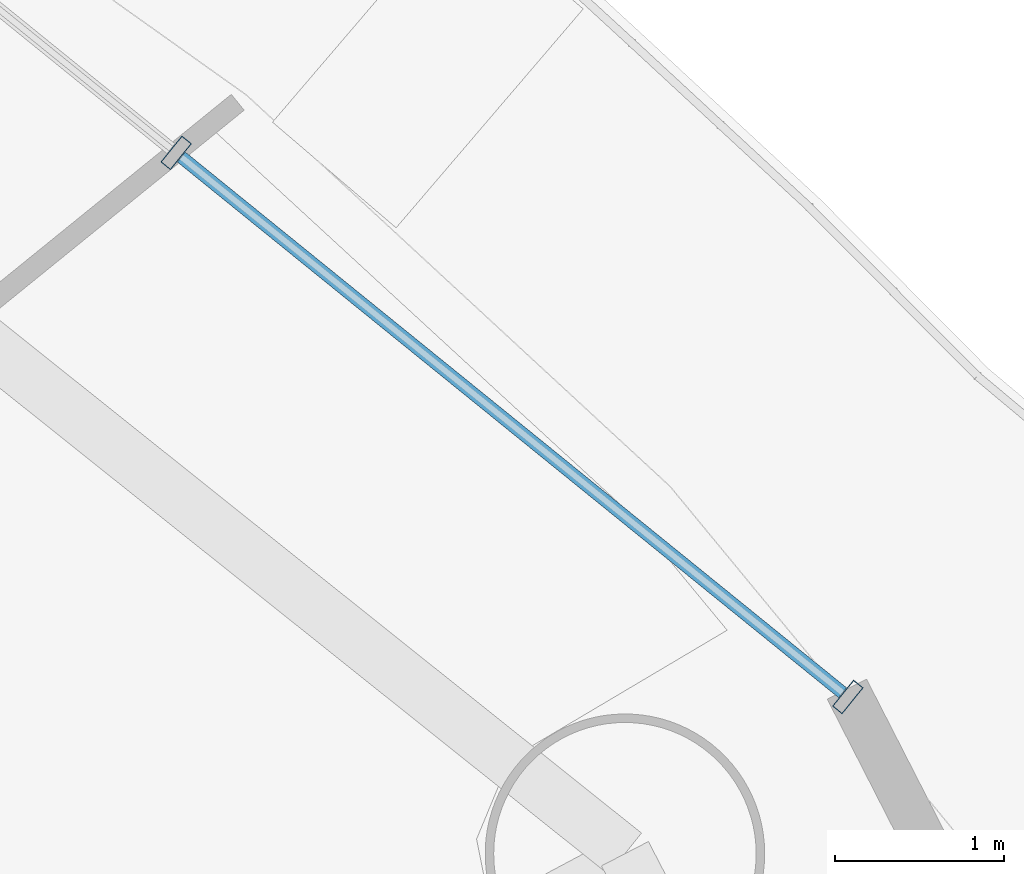
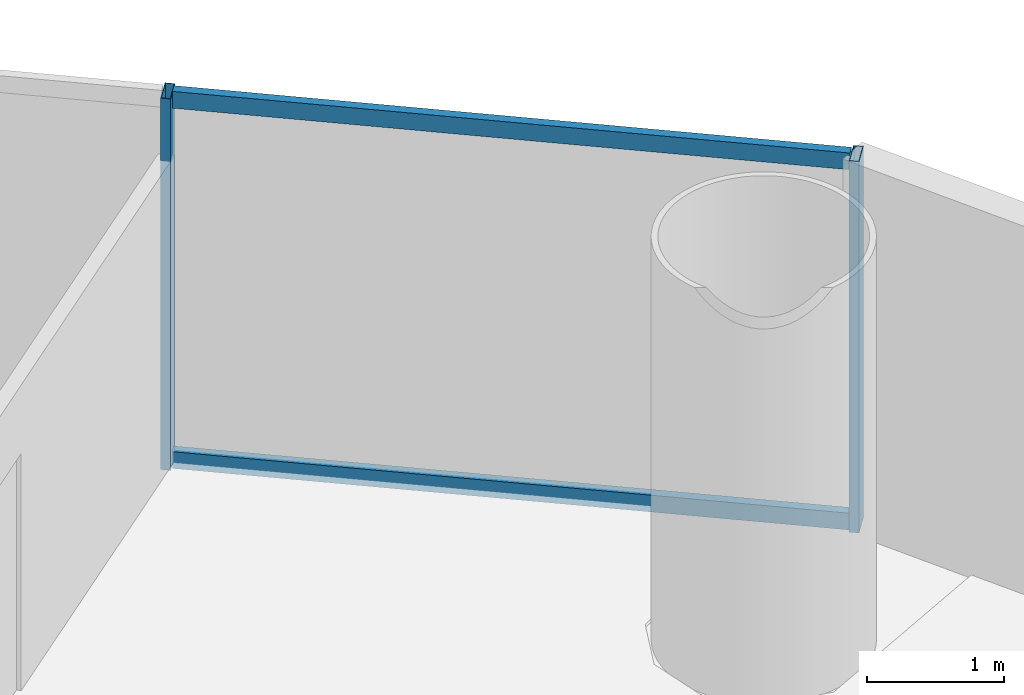
# One storey, part 19 of 28: 4 members, 1 element without a shape of its own.
"""IFC4 building model written with IfcOpenShell, lengths in metres."""

import ifcopenshell
import ifcopenshell.guid

model = None  # the IFC model being written
_history = None  # IfcOwnerHistory: only IFC2X3 demands one
_inside = {}  # id of a spatial element -> (the spatial element, [elements in it])
_under = {}  # id of a project, library or spatial element -> (it, [spatial elements below it])
_declared = {}  # id of a project -> (the project, [libraries it declares])
_typed = {}  # id of a type object -> (the type object, [elements of that type])
_made_of = {}  # id of a material, layer set ... -> (it, [elements and type objects made of it])


def new_model(schema):
    """Start an empty IFC model of exactly this schema.

    Asked for "IFC4X3", IfcOpenShell would pick the latest addendum, in which some entities
    have other attributes; the version numbers below select the first issue.
    IFC2X3 requires an IfcOwnerHistory on every rooted entity: one is made here for all.
    """
    global model, _history
    if schema == "IFC4X3":
        model = ifcopenshell.file(schema_version=(4, 3, 0, 0))
    else:
        model = ifcopenshell.file(schema=schema)
    _inside.clear()
    _under.clear()
    _declared.clear()
    _typed.clear()
    _made_of.clear()
    _history = None
    if model.schema == "IFC2X3":
        org = make("IfcOrganization", Name="unknown")
        user = make(
            "IfcPersonAndOrganization",
            ThePerson=make("IfcPerson", FamilyName="unknown"),
            TheOrganization=org,
        )
        app = make(
            "IfcApplication",
            ApplicationDeveloper=org,
            Version="unknown",
            ApplicationFullName="unknown",
            ApplicationIdentifier="unknown",
        )
        _history = make(
            "IfcOwnerHistory",
            OwningUser=user,
            OwningApplication=app,
            ChangeAction="ADDED",
            CreationDate=0,
        )
    return model


def make(cls, **values):
    """One entity of the class cls with the attributes given. An attribute that is None is left unset."""
    return model.create_entity(
        cls, **{name: value for name, value in values.items() if value is not None}
    )


def rooted(cls, **values):
    """An entity with a GlobalId (a new one), such as an element, a storey or a relation."""
    return make(cls, GlobalId=ifcopenshell.guid.new(), OwnerHistory=_history, **values)


def si_unit(unit_type, name, prefix=None):
    """IfcSIUnit, for example si_unit("LENGTHUNIT", "METRE", prefix="MILLI")."""
    return make("IfcSIUnit", UnitType=unit_type, Prefix=prefix, Name=name)


def assignment(units):
    """IfcUnitAssignment: the units of a project."""
    return None if units is None else make("IfcUnitAssignment", Units=units)


def point(xyz):
    """IfcCartesianPoint."""
    return None if xyz is None else make("IfcCartesianPoint", Coordinates=xyz)


def direction(xyz):
    """IfcDirection."""
    return None if xyz is None else make("IfcDirection", DirectionRatios=xyz)


def frame(location, z_axis=None, x_axis=None):
    """IfcAxis2Placement3D, a coordinate frame: its origin and axes. An axis left out is left unset."""
    return make(
        "IfcAxis2Placement3D",
        Location=point(location),
        Axis=direction(z_axis),
        RefDirection=direction(x_axis),
    )


def frame_2d(location, x_axis=None):
    """IfcAxis2Placement2D, a coordinate frame in the plane: its origin and x axis."""
    return make(
        "IfcAxis2Placement2D", Location=point(location), RefDirection=direction(x_axis)
    )


def origin():
    """The frame at (0, 0, 0) with its axes left unset."""
    return frame((0.0, 0.0, 0.0))


def origin_2d():
    """The frame at (0, 0) in the plane with its x axis left unset."""
    return frame_2d((0.0, 0.0))


def place(relative_to, where):
    """IfcLocalPlacement: puts the frame where relative to a parent placement (None: the world)."""
    return make(
        "IfcLocalPlacement", PlacementRelTo=relative_to, RelativePlacement=where
    )


def context(
    kind, dimensions, precision=None, world=None, true_north=None, identifier=None
):
    """IfcGeometricRepresentationContext, for example the 3D "Model" context."""
    return make(
        "IfcGeometricRepresentationContext",
        ContextIdentifier=identifier,
        ContextType=kind,
        CoordinateSpaceDimension=dimensions,
        Precision=precision,
        WorldCoordinateSystem=world,
        TrueNorth=true_north,
    )


def subcontext(parent, identifier, kind, view, scale=None):
    """IfcGeometricRepresentationSubContext, for example "Body" below "Model"."""
    return make(
        "IfcGeometricRepresentationSubContext",
        ContextIdentifier=identifier,
        ContextType=kind,
        ParentContext=parent,
        TargetScale=scale,
        TargetView=view,
    )


def project(units=None, contexts=None):
    """IfcProject with its units and contexts."""
    return rooted(
        "IfcProject",
        Name="project",
        RepresentationContexts=contexts,
        UnitsInContext=assignment(units),
    )


def spatial(cls, under=None, at=None, **own):
    """A site, building, storey or space (cls), placed at a placement, below another one or the project."""
    s = rooted(cls, ObjectPlacement=at, **own)
    if under is not None:
        _under.setdefault(under.id(), (under, []))[1].append(s)
    return s


def profile(cls, at=None, kind="AREA", **sizes):
    """A parametric profile (cls). Its sizes go by their IFC names, for example OverallWidth=200.0."""
    return make(cls, ProfileType=kind, Position=at, **sizes)


def hollow_rectangle(**sizes):
    """IfcRectangleHollowProfileDef."""
    return profile("IfcRectangleHollowProfileDef", **sizes)


def extrude(swept, where, along, depth):
    """IfcExtrudedAreaSolid: the profile swept, set in the frame where, extruded along a direction by depth."""
    return make(
        "IfcExtrudedAreaSolid",
        SweptArea=swept,
        Position=where,
        ExtrudedDirection=direction(along),
        Depth=depth,
    )


def shape(context_of_items, identifier, shape_type, items):
    """IfcShapeRepresentation: the items that make up one representation, for example the "Body"."""
    return make(
        "IfcShapeRepresentation",
        ContextOfItems=context_of_items,
        RepresentationIdentifier=identifier,
        RepresentationType=shape_type,
        Items=items,
    )


def source(mapping_origin, context_of_items, identifier, shape_type, items):
    """IfcRepresentationMap: a shape defined once, which mapped items show again and again."""
    return make(
        "IfcRepresentationMap",
        MappingOrigin=mapping_origin,
        MappedRepresentation=shape(context_of_items, identifier, shape_type, items),
    )


def transform(
    local_origin,
    x_axis=None,
    y_axis=None,
    z_axis=None,
    scale=None,
    scale2=None,
    scale3=None,
    uniform=True,
):
    """IfcCartesianTransformationOperator3D, or its non-uniform kind. x_axis, y_axis, z_axis: its Axis1, 2, 3."""
    if uniform:
        return make(
            "IfcCartesianTransformationOperator3D",
            Axis1=direction(x_axis),
            Axis2=direction(y_axis),
            LocalOrigin=point(local_origin),
            Scale=scale,
            Axis3=direction(z_axis),
        )
    return make(
        "IfcCartesianTransformationOperator3DnonUniform",
        Axis1=direction(x_axis),
        Axis2=direction(y_axis),
        LocalOrigin=point(local_origin),
        Scale=scale,
        Axis3=direction(z_axis),
        Scale2=scale2,
        Scale3=scale3,
    )


def mapped(mapping_source, mapping_target):
    """IfcMappedItem: shows the shape of a source again, moved by a transform."""
    return make(
        "IfcMappedItem", MappingSource=mapping_source, MappingTarget=mapping_target
    )


def material(Name=None, Category=None):
    """IfcMaterial."""
    return make("IfcMaterial", Name=Name, Category=Category)


def material_profile(
    of_material, cross_section, Name=None, Category=None, Priority=None
):
    """IfcMaterialProfile: a cross section and its material."""
    return make(
        "IfcMaterialProfile",
        Name=Name,
        Material=of_material,
        Profile=cross_section,
        Priority=Priority,
        Category=Category,
    )


def profile_set(profiles, Name=None, composite=None):
    """IfcMaterialProfileSet."""
    return make(
        "IfcMaterialProfileSet",
        Name=Name,
        MaterialProfiles=profiles,
        CompositeProfile=composite,
    )


def made_of(thing, what):
    """Note that an element or type object is made of a material, layer set ...; save() writes the relation."""
    if what is not None:
        _made_of.setdefault(what.id(), (what, []))[1].append(thing)
    return thing


def type_object(cls, material=None, **own):
    """A type object (cls), such as IfcWallType, which elements share."""
    return made_of(rooted(cls, **own), material)


def element(
    cls,
    number,
    at=None,
    inside=None,
    cuts=None,
    type_object=None,
    material=None,
    context=None,
    identifier="Body",
    shape_type=None,
    held_by="IfcProductDefinitionShape",
    body=None,
    shapes=None,
    **own,
):
    """One element of the class cls, such as IfcWall. Its Tag is "e" and its number.

    at: its placement. inside: the storey or other place that contains it. cuts: it is an
    opening in that element (IfcRelVoidsElement). A single representation is given by context,
    identifier, shape_type and body (its items); several are given by shapes. held_by: the class
    of the entity that holds the representations. save() writes the other relations.
    """
    e = rooted(cls, Tag="e%d" % number, ObjectPlacement=at, **own)
    if body is not None:
        shapes = [shape(context, identifier, shape_type, body)]
    if shapes is not None:
        e.Representation = make(held_by, Representations=shapes)
    if inside is not None:
        _inside.setdefault(inside.id(), (inside, []))[1].append(e)
    if cuts is not None:
        rooted(
            "IfcRelVoidsElement", RelatingBuildingElement=cuts, RelatedOpeningElement=e
        )
    if type_object is not None:
        _typed.setdefault(type_object.id(), (type_object, []))[1].append(e)
    return made_of(e, material)


def aggregate(whole, parts):
    """IfcRelAggregates: a whole, such as a stair, and the parts it consists of."""
    return rooted("IfcRelAggregates", RelatingObject=whole, RelatedObjects=parts)


def save(model, path):
    """Write the relations noted so far, then the file.

    IfcRelAggregates (storeys below a building ...), IfcRelContainedInSpatialStructure (elements
    in a storey), IfcRelDefinesByType, IfcRelAssociatesMaterial and IfcRelDeclares: one each for
    every whole, place, type object, material and project.
    """
    for whole, parts in _under.values():
        aggregate(whole, parts)
    for where, things in _inside.values():
        rooted(
            "IfcRelContainedInSpatialStructure",
            RelatedElements=things,
            RelatingStructure=where,
        )
    for kind, things in _typed.values():
        rooted("IfcRelDefinesByType", RelatedObjects=things, RelatingType=kind)
    for what, things in _made_of.values():
        rooted("IfcRelAssociatesMaterial", RelatedObjects=things, RelatingMaterial=what)
    for by, libraries in _declared.values():
        rooted("IfcRelDeclares", RelatingContext=by, RelatedDefinitions=libraries)
    model.write(path)


model = new_model("IFC4")

# Units and contexts
model_context = context("Model", 3, precision=1e-05, world=origin(), true_north=direction((-0.2419218956, 0.970295726276)))
body_context = subcontext(model_context, "Body", "Model", "MODEL_VIEW")
ifc_project = project(units=[si_unit("LENGTHUNIT", "METRE"), si_unit("AREAUNIT", "SQUARE_METRE"), si_unit("VOLUMEUNIT", "CUBIC_METRE"), si_unit("PLANEANGLEUNIT", "RADIAN"), si_unit("MASSUNIT", "GRAM", prefix="KILO")], contexts=[model_context])

# Site, building, storey
site_placement = place(None, origin())
site = spatial("IfcSite", under=ifc_project, at=site_placement, CompositionType="ELEMENT")
building_placement = place(site_placement, origin())
building = spatial("IfcBuilding", under=site, at=building_placement, Name="Cobrevalo Terracotta Tower", CompositionType="ELEMENT")
storey_placement = place(building_placement, frame((0.0, 0.0, 42.0)))
storey = spatial("IfcBuildingStorey", under=building, at=storey_placement, Name="L10", CompositionType="ELEMENT", Elevation=42.0)

# Curtain wall, members
ifc_material = material(Name="Anodized aluminium", Category="aluminium")
curtain_wall_type = type_object("IfcCurtainWallType", Name="Lower-tower unitised acoustic low-E curtain wall CW-U1", PredefinedType="NOTDEFINED", material=ifc_material)
curtain_wall_placement = place(storey_placement, origin())
curtain_wall = element("IfcCurtainWall", 1, at=curtain_wall_placement, inside=storey, type_object=curtain_wall_type, Name="L10 curtain wall CW-L10-S02", PredefinedType="NOTDEFINED")
ifc_material_profile_1 = material_profile(ifc_material, hollow_rectangle(XDim=0.074951171875, YDim=0.199951171875, WallThickness=0.0048828125, at=origin_2d()), Name="CWM 75x200")
ifc_profile_set_1 = profile_set([ifc_material_profile_1], Name="Anodized aluminium")
member_type_1 = type_object("IfcMemberType", Name="Lower/mid tower unitised mullion 75x200", PredefinedType="MULLION", material=ifc_profile_set_1)
shared_shape_1 = source(origin(), body_context, "Body", "SweptSolid", [
    extrude(hollow_rectangle(XDim=0.074951171875, YDim=0.199951171875, WallThickness=0.0048828125, at=origin_2d()), origin(), (0.0, 0.0, 1.0), 3.320068359375),
])
member_1_placement = place(storey_placement, frame((62.056640625, 39.864501953125, 0.0), z_axis=(0.0, 0.0, 1.0), x_axis=(-0.777003153187, 0.629496703675, 0.0)))
member_1 = element("IfcMember", 2, at=member_1_placement, type_object=member_type_1, Name="CW-L10-S02 vertical mullion 01", PredefinedType="MULLION", context=body_context, shape_type="MappedRepresentation", body=[
    mapped(shared_shape_1, transform((0.0, 0.0, 0.0), scale=1.0)),
])
member_2_placement = place(storey_placement, frame((58.09130859375, 43.076904296875, 0.0), z_axis=(0.0, 0.0, 1.0), x_axis=(-0.777003153187, 0.629496703675, 0.0)))
member_2 = element("IfcMember", 3, at=member_2_placement, type_object=member_type_1, Name="CW-L10-S02 vertical mullion 02", PredefinedType="MULLION", context=body_context, shape_type="MappedRepresentation", body=[
    mapped(shared_shape_1, transform((0.0, 0.0, 0.0), scale=1.0)),
])
ifc_material_profile_2 = material_profile(ifc_material, hollow_rectangle(XDim=0.074951171875, YDim=0.14990234375, WallThickness=0.00439453125, at=origin_2d()), Name="CWT 75x150")
ifc_profile_set_2 = profile_set([ifc_material_profile_2], Name="Anodized aluminium")
member_type_2 = type_object("IfcMemberType", Name="Tower unitised aluminium transom 75x150", PredefinedType="USERDEFINED", material=ifc_profile_set_2)
shared_shape_2 = source(origin(), body_context, "Body", "SweptSolid", [
    extrude(hollow_rectangle(XDim=0.074951171875, YDim=0.14990234375, WallThickness=0.00439453125, at=origin_2d()), origin(), (0.0, 0.0, 1.0), 5.0234375),
])
member_3_placement = place(storey_placement, frame((62.025634765625, 39.8896484375, 0.050048828125), z_axis=(-0.777022991593, 0.629472215857, 0.0), x_axis=(-0.629472215857, -0.777022991593, 0.0)))
member_3 = element("IfcMember", 4, at=member_3_placement, type_object=member_type_2, Name="CW-L10-S02 transom B01-T1", ObjectType="TRANSOM", PredefinedType="USERDEFINED", context=body_context, shape_type="MappedRepresentation", body=[
    mapped(shared_shape_2, transform((0.0, 0.0, 0.0), scale=1.0)),
])
member_4_placement = place(storey_placement, frame((62.025634765625, 39.8896484375, 3.27001953125), z_axis=(-0.777022991593, 0.629472215857, 0.0), x_axis=(-0.629472215857, -0.777022991593, 0.0)))
member_4 = element("IfcMember", 5, at=member_4_placement, type_object=member_type_2, Name="CW-L10-S02 transom B01-T2", ObjectType="TRANSOM", PredefinedType="USERDEFINED", context=body_context, shape_type="MappedRepresentation", body=[
    mapped(shared_shape_2, transform((0.0, 0.0, 0.0), scale=1.0)),
])
aggregate(curtain_wall, [member_1, member_2, member_3, member_4])

save(model, "model.ifc")
